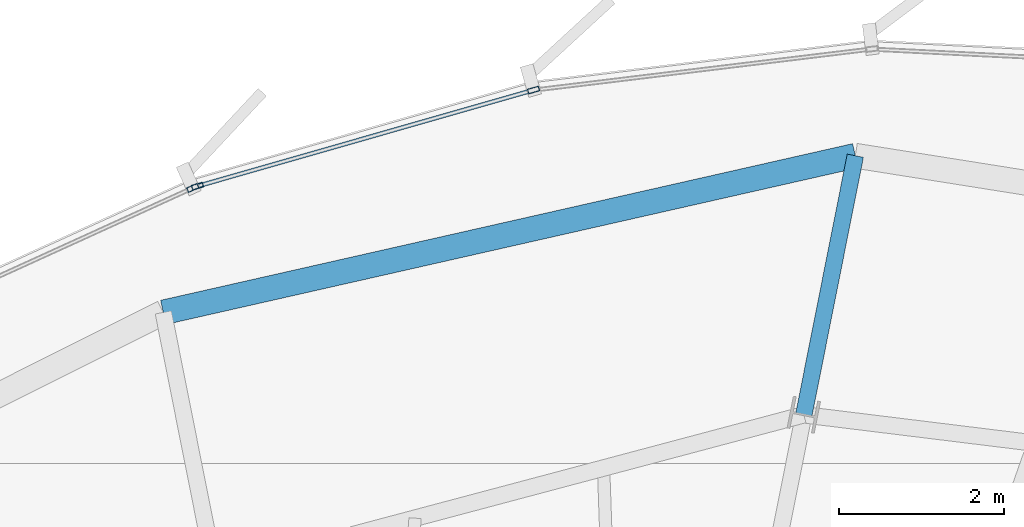
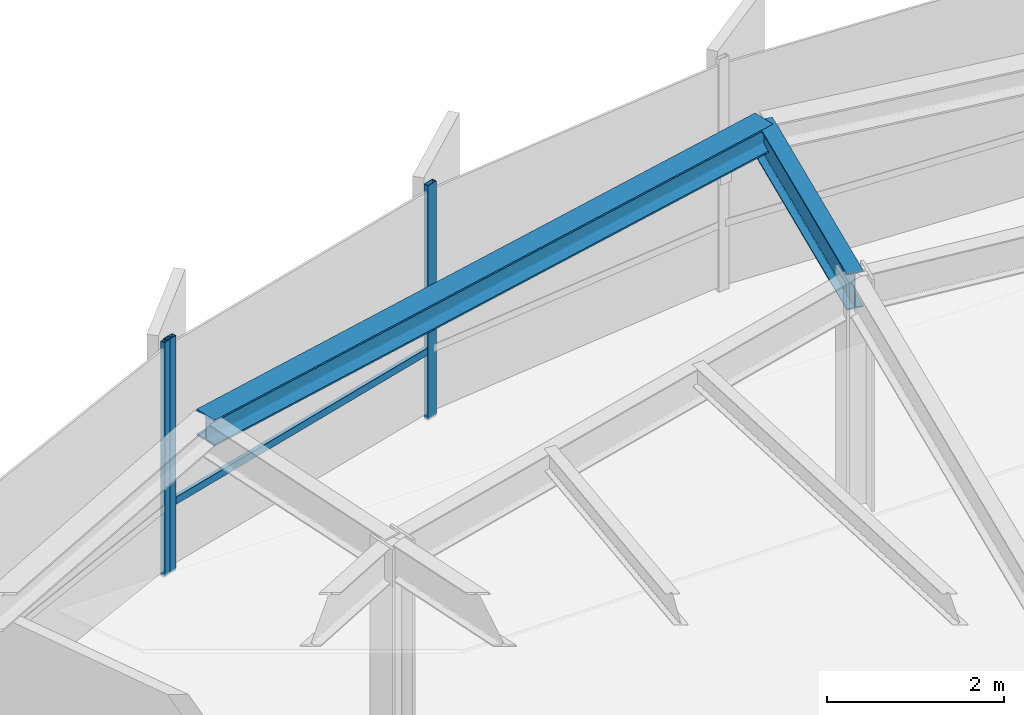
# One storey, part 22 of 34: 4 members, 2 beams, 2 elements without a shape of their own.
"""IFC4 building model written with IfcOpenShell, lengths in metres."""

from ifc_helpers import new_model, si_unit, direction, frame, origin, origin_2d, place, context, subcontext, project, spatial, hollow_rectangle, i_section, extrude, source, transform, mapped, material, layer, layer_set, material_profile, profile_set, type_object, element, aggregate, save


model = new_model("IFC4")

# Units and contexts
model_context = context("Model", 3, precision=1e-05, world=origin(), true_north=direction((0.0, 1.0)))
body_context = subcontext(model_context, "Body", "Model", "MODEL_VIEW")
ifc_project = project(units=[si_unit("LENGTHUNIT", "METRE"), si_unit("AREAUNIT", "SQUARE_METRE"), si_unit("VOLUMEUNIT", "CUBIC_METRE"), si_unit("PLANEANGLEUNIT", "RADIAN"), si_unit("MASSUNIT", "GRAM", prefix="KILO"), si_unit("THERMODYNAMICTEMPERATUREUNIT", "KELVIN")], contexts=[model_context])

# Site, building, storey
site_placement = place(None, origin())
site = spatial("IfcSite", under=ifc_project, at=site_placement, CompositionType="ELEMENT")
building_placement = place(site_placement, origin())
building = spatial("IfcBuilding", under=site, at=building_placement, Name="Kethvar Cultural Tower", CompositionType="ELEMENT")
storey_placement = place(building_placement, frame((0.0, 0.0, 214.89990234375)))
storey = spatial("IfcBuildingStorey", under=building, at=storey_placement, Name="L56", CompositionType="ELEMENT", Elevation=214.89990234375)

# Beams
ifc_material_1 = material(Name="Steel S355J2", Category="steel")
ifc_material_profile_1 = material_profile(ifc_material_1, i_section(OverallWidth=0.199951171875, OverallDepth=0.5, WebThickness=0.01025390625, FlangeThickness=0.01611328125, FilletRadius=0.02099609375, at=origin_2d()), Name="Steel S355J2 — IPE500")
ifc_profile_set_1 = profile_set([ifc_material_profile_1], Name="Steel S355J2 — IPE500")
beam_type_1 = type_object("IfcBeamType", Name="BM-IPE500", PredefinedType="BEAM", material=ifc_profile_set_1)
shared_shape_1 = source(origin(), body_context, "Body", "SweptSolid", [
    extrude(i_section(OverallWidth=0.199951171875, OverallDepth=0.5, WebThickness=0.01025390625, FlangeThickness=0.01611328125, FilletRadius=0.02099609375, at=origin_2d()), origin(), (0.0, 0.0, 1.0), 3.199951171875),
])
beam_1_placement = place(storey_placement, frame((50.556884765625, 46.6875, 2.988037109375), z_axis=(0.195088965533, 0.980785550224, 0.0), x_axis=(-0.980785550224, 0.195088965533, 0.0)))
element("IfcBeam", 1, at=beam_1_placement, inside=storey, type_object=beam_type_1, Name="L56 Perimeter Cantilever Beam RC-04", PredefinedType="BEAM", context=body_context, shape_type="MappedRepresentation", body=[
    mapped(shared_shape_1, transform((0.0, 0.0, 0.0), scale=1.0)),
])
ifc_material_profile_2 = material_profile(ifc_material_1, i_section(OverallWidth=0.300048828125, OverallDepth=0.360107421875, WebThickness=0.012451171875, FlangeThickness=0.0224609375, FilletRadius=0.027099609375, at=origin_2d()), Name="Steel S355J2 — HEB360")
ifc_profile_set_2 = profile_set([ifc_material_profile_2], Name="Steel S355J2 — HEB360")
beam_type_2 = type_object("IfcBeamType", Name="BM-SP360", PredefinedType="SPANDREL", material=ifc_profile_set_2)
shared_shape_2 = source(origin(), body_context, "Body", "SweptSolid", [
    extrude(i_section(OverallWidth=0.300048828125, OverallDepth=0.360107421875, WebThickness=0.012451171875, FlangeThickness=0.0224609375, FilletRadius=0.027099609375, at=origin_2d()), origin(), (0.0, 0.0, 1.0), 8.596923828125),
])
beam_2_placement = place(storey_placement, frame((51.18115234375, 49.825927734375, 3.05810546875), z_axis=(-0.975319414912, -0.2207986388, 0.0), x_axis=(0.2207986388, -0.975319414912, 0.0)))
element("IfcBeam", 2, at=beam_2_placement, inside=storey, type_object=beam_type_2, Name="L56 Perimeter Spandrel Beam SP-04", PredefinedType="SPANDREL", context=body_context, shape_type="MappedRepresentation", body=[
    mapped(shared_shape_2, transform((0.0, 0.0, 0.0), scale=1.0)),
])

# Curtain wall, members
ifc_material_2 = material(Name="Aluminium 6063-T6", Category="aluminium")
ifc_layer = layer(ifc_material_2, 0.179931640625, Name="Aluminium 6063-T6", Category="aluminium")
ifc_layer_set = layer_set([ifc_layer], Name="Aluminium 6063-T6 (180 mm)")
curtain_wall_type = type_object("IfcCurtainWallType", Name="CW-SYS-04-Z34", PredefinedType="NOTDEFINED", material=ifc_layer_set)
curtain_wall_1_placement = place(storey_placement, origin())
curtain_wall_1 = element("IfcCurtainWall", 3, at=curtain_wall_1_placement, inside=storey, type_object=curtain_wall_type, Name="L56 Curtain Wall Run 01", PredefinedType="NOTDEFINED")
ifc_material_profile_3 = material_profile(ifc_material_2, hollow_rectangle(XDim=0.06005859375, YDim=0.139892578125, WallThickness=0.0048828125, at=origin_2d()), Name="Aluminium 6063-T6 — RHS140x60x5")
ifc_profile_set_3 = profile_set([ifc_material_profile_3], Name="Aluminium 6063-T6 — RHS140x60x5")
member_type_1 = type_object("IfcMemberType", Name="CW-SYS-04-Z34-MUL", PredefinedType="MULLION", material=ifc_profile_set_3)
shared_shape_3 = source(origin(), body_context, "Body", "SweptSolid", [
    extrude(hollow_rectangle(XDim=0.06005859375, YDim=0.139892578125, WallThickness=0.0048828125, at=origin_2d()), origin(), (0.0, 0.0, 1.0), 3.239990234375),
])
member_1_placement = place(storey_placement, frame((47.28271484375, 50.621826171875, 0.0), z_axis=(0.0, 0.0, 1.0), x_axis=(0.275117222869, -0.961410689394, 0.0)))
member_1 = element("IfcMember", 4, at=member_1_placement, type_object=member_type_1, Name="CW-L56-R01 Mullion 6", PredefinedType="MULLION", context=body_context, shape_type="MappedRepresentation", body=[
    mapped(shared_shape_3, transform((0.0, 0.0, 0.0), scale=1.0)),
])
member_2_placement = place(storey_placement, frame((43.2109375, 49.456787109375, 0.0), z_axis=(0.0, 0.0, 1.0), x_axis=(0.275117222869, -0.961410689394, 0.0)))
member_2 = element("IfcMember", 5, at=member_2_placement, type_object=member_type_1, Name="CW-L56-R01 Mullion 7", PredefinedType="MULLION", context=body_context, shape_type="MappedRepresentation", body=[
    mapped(shared_shape_3, transform((0.0, 0.0, 0.0), scale=1.0)),
])

# Curtain wall, member
curtain_wall_2_placement = place(storey_placement, origin())
curtain_wall_2 = element("IfcCurtainWall", 6, at=curtain_wall_2_placement, inside=storey, type_object=curtain_wall_type, Name="L56 Curtain Wall Run 02", PredefinedType="NOTDEFINED")
member_3_placement = place(storey_placement, frame((43.1533203125, 49.435546875, 0.0), z_axis=(0.0, 0.0, 1.0), x_axis=(0.414455001144, -0.910069806128, 0.0)))
member_3 = element("IfcMember", 7, at=member_3_placement, type_object=member_type_1, Name="CW-L56-R02 Mullion 1", PredefinedType="MULLION", context=body_context, shape_type="MappedRepresentation", body=[
    mapped(shared_shape_3, transform((0.0, 0.0, 0.0), scale=1.0)),
])
aggregate(curtain_wall_2, [member_3])

# Member
ifc_material_profile_4 = material_profile(ifc_material_2, hollow_rectangle(XDim=0.050048828125, YDim=0.10009765625, WallThickness=0.00390625, at=origin_2d()), Name="Aluminium 6063-T6 — RHS100x50x4")
ifc_profile_set_4 = profile_set([ifc_material_profile_4], Name="Aluminium 6063-T6 — RHS100x50x4")
member_type_2 = type_object("IfcMemberType", Name="CW-SYS-04-Z34-TRN", PredefinedType="USERDEFINED", material=ifc_profile_set_4)
shared_shape_4 = source(origin(), body_context, "Body", "SweptSolid", [
    extrude(hollow_rectangle(XDim=0.050048828125, YDim=0.10009765625, WallThickness=0.00390625, at=origin_2d()), origin(), (0.0, 0.0, 1.0), 4.187744140625),
])
member_4_placement = place(storey_placement, frame((47.240966796875, 50.610107421875, 0.9501953125), z_axis=(-0.961411669042, -0.275113799418, 0.0), x_axis=(0.275113799418, -0.961411669042, 0.0)))
member_4 = element("IfcMember", 8, at=member_4_placement, type_object=member_type_2, Name="CW-L56-R01 Transom 6", ObjectType="TRANSOM", PredefinedType="USERDEFINED", context=body_context, shape_type="MappedRepresentation", body=[
    mapped(shared_shape_4, transform((0.0, 0.0, 0.0), scale=1.0)),
])

aggregate(curtain_wall_1, [member_1, member_2, member_4])

save(model, "model.ifc")
